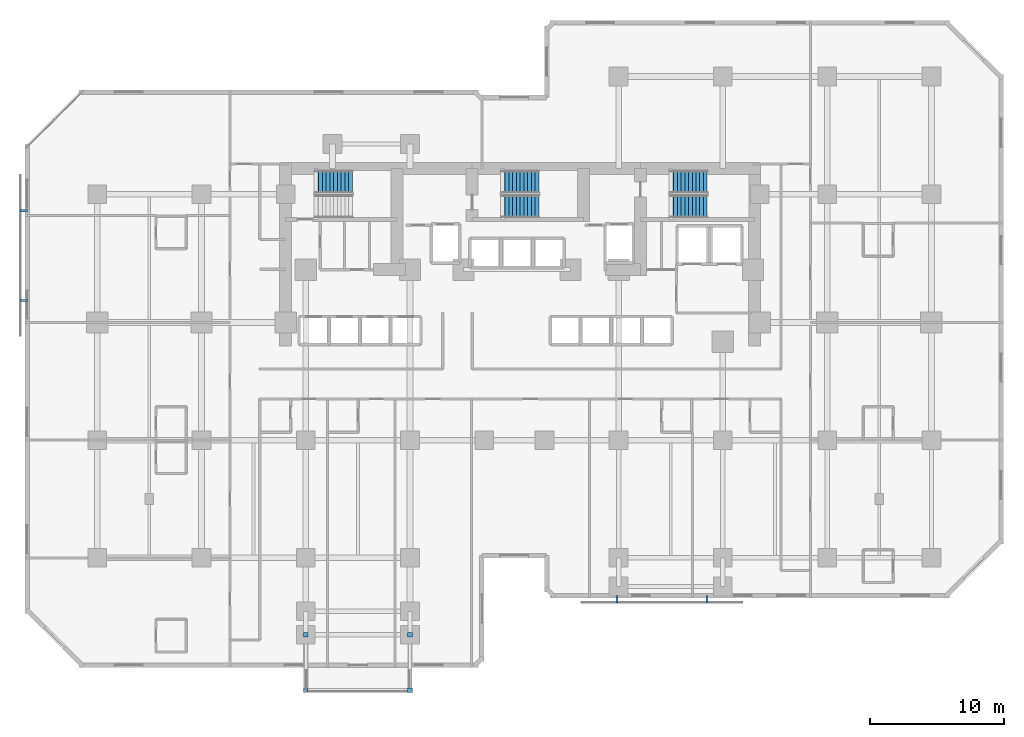
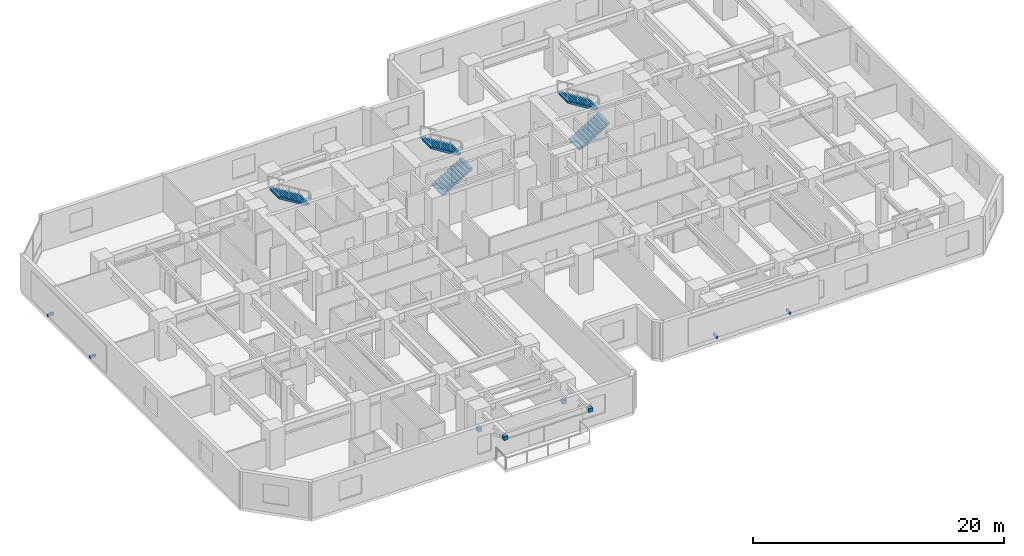
# One storey, part 10 of 12: 8 discrete accessories, 5 stair flights, 3 elements without a shape of their own.
"""IFC4 building model written with IfcOpenShell, lengths in metres."""

from ifc_helpers import new_model, si_unit, direction, frame, origin, origin_2d, place, context, subcontext, project, spatial, polyline, rectangle, outline, extrude, material, type_object, element, aggregate, save


model = new_model("IFC4")

# Units and contexts
model_context = context("Model", 3, precision=1e-05, world=origin(), true_north=direction((0.0, 1.0)))
body_context = subcontext(model_context, "Body", "Model", "MODEL_VIEW")
ifc_project = project(units=[si_unit("LENGTHUNIT", "METRE"), si_unit("AREAUNIT", "SQUARE_METRE"), si_unit("VOLUMEUNIT", "CUBIC_METRE"), si_unit("PLANEANGLEUNIT", "RADIAN"), si_unit("MASSUNIT", "GRAM", prefix="KILO")], contexts=[model_context])

# Site, building, storey
site_placement = place(None, origin())
site = spatial("IfcSite", under=ifc_project, at=site_placement, CompositionType="ELEMENT")
building_placement = place(site_placement, origin())
building = spatial("IfcBuilding", under=site, at=building_placement, Name="Kestravale Grand Hotel", CompositionType="ELEMENT")
storey_placement = place(building_placement, frame((0.0, 0.0, 56.39990234375)))
storey = spatial("IfcBuildingStorey", under=building, at=storey_placement, Name="L13", CompositionType="ELEMENT", Elevation=56.39990234375)

# Stair, stair flight
ifc_material_1 = material(Name="Concrete f'c 45 MPa", Category="concrete")
stair_type = type_object("IfcStairType", Name="ST-CORE-380", PredefinedType="HALF_TURN_STAIR", material=ifc_material_1)
stair_1_placement = place(storey_placement, origin())
stair_1 = element("IfcStair", 1, at=stair_1_placement, inside=storey, type_object=stair_type, Name="L13 ST-1", PredefinedType="HALF_TURN_STAIR")
ifc_material_2 = material(Name="Concrete f'c 45 MPa", Category="concrete")
stair_flight_type = type_object("IfcStairFlightType", Name="STF-CORE-380", PredefinedType="STRAIGHT", material=ifc_material_2)
stair_flight_1_placement = place(storey_placement, frame((26.8798828125, 39.320068359375, 1.900146484375), z_axis=(0.0, 0.0, 1.0), x_axis=(-1.0, 0.0, 0.0)))
stair_flight_1 = element("IfcStairFlight", 2, at=stair_flight_1_placement, type_object=stair_flight_type, Name="ST-1 flight 2", NumberOfRisers=11, NumberOfTreads=10, PredefinedType="STRAIGHT", RiserHeight=0.172727273, TreadLength=0.28, context=body_context, shape_type="SweptSolid", body=[
    extrude(outline(polyline([(0.0, 0.0), (0.0, 0.172607421875), (0.280029296875, 0.172607421875), (0.280029296875, 0.345458984375), (0.56005859375, 0.345458984375), (0.56005859375, 0.51806640625), (0.840087890625, 0.51806640625), (0.840087890625, 0.69091796875), (1.1201171875, 0.69091796875), (1.1201171875, 0.863525390625), (1.39990234375, 0.863525390625), (1.39990234375, 1.036376953125), (1.679931640625, 1.036376953125), (1.679931640625, 1.208984375), (1.9599609375, 1.208984375), (1.9599609375, 1.3818359375), (2.239990234375, 1.3818359375), (2.239990234375, 1.554443359375), (2.52001953125, 1.554443359375), (2.52001953125, 1.727294921875), (2.800048828125, 1.727294921875), (2.800048828125, 1.89990234375), (2.800048828125, 1.551025390625), (0.285400390625, 0.0), (0.0, 0.0)])), frame((0.0, 0.83984375, 0.0), z_axis=(0.0, -1.0, 0.0), x_axis=(1.0, 0.0, 0.0)), (0.0, 0.0, 1.0), 1.679931640625),
])
aggregate(stair_1, [stair_flight_1])

# Stair, stair flights
stair_2_placement = place(storey_placement, origin())
stair_2 = element("IfcStair", 3, at=stair_2_placement, inside=storey, type_object=stair_type, Name="L13 ST-2", PredefinedType="HALF_TURN_STAIR")
stair_flight_2_placement = place(storey_placement, frame((38.030029296875, 37.489990234375, 0.0), z_axis=(0.0, 0.0, 1.0), x_axis=(1.0, 0.0, 0.0)))
stair_flight_2 = element("IfcStairFlight", 4, at=stair_flight_2_placement, type_object=stair_flight_type, Name="ST-2 flight 1", NumberOfRisers=11, NumberOfTreads=10, PredefinedType="STRAIGHT", RiserHeight=0.172727273, TreadLength=0.28, context=body_context, shape_type="SweptSolid", body=[
    extrude(outline(polyline([(0.0, 0.0), (0.0, 0.172607421875), (0.280029296875, 0.172607421875), (0.280029296875, 0.345458984375), (0.56005859375, 0.345458984375), (0.56005859375, 0.51806640625), (0.840087890625, 0.51806640625), (0.840087890625, 0.69091796875), (1.1201171875, 0.69091796875), (1.1201171875, 0.863525390625), (1.39990234375, 0.863525390625), (1.39990234375, 1.036376953125), (1.679931640625, 1.036376953125), (1.679931640625, 1.208984375), (1.9599609375, 1.208984375), (1.9599609375, 1.3818359375), (2.239990234375, 1.3818359375), (2.239990234375, 1.554443359375), (2.52001953125, 1.554443359375), (2.52001953125, 1.727294921875), (2.800048828125, 1.727294921875), (2.800048828125, 1.89990234375), (2.800048828125, 1.551025390625), (0.285400390625, 0.0), (0.0, 0.0)])), frame((0.0, 0.83984375, 0.0), z_axis=(0.0, -1.0, 0.0), x_axis=(1.0, 0.0, 0.0)), (0.0, 0.0, 1.0), 1.679931640625),
])
stair_flight_3_placement = place(storey_placement, frame((40.830078125, 39.320068359375, 1.900146484375), z_axis=(0.0, 0.0, 1.0), x_axis=(-1.0, 0.0, 0.0)))
stair_flight_3 = element("IfcStairFlight", 5, at=stair_flight_3_placement, type_object=stair_flight_type, Name="ST-2 flight 2", NumberOfRisers=11, NumberOfTreads=10, PredefinedType="STRAIGHT", RiserHeight=0.172727273, TreadLength=0.28, context=body_context, shape_type="SweptSolid", body=[
    extrude(outline(polyline([(0.0, 0.0), (0.0, 0.172607421875), (0.280029296875, 0.172607421875), (0.280029296875, 0.345458984375), (0.56005859375, 0.345458984375), (0.56005859375, 0.51806640625), (0.840087890625, 0.51806640625), (0.840087890625, 0.69091796875), (1.1201171875, 0.69091796875), (1.1201171875, 0.863525390625), (1.39990234375, 0.863525390625), (1.39990234375, 1.036376953125), (1.679931640625, 1.036376953125), (1.679931640625, 1.208984375), (1.9599609375, 1.208984375), (1.9599609375, 1.3818359375), (2.239990234375, 1.3818359375), (2.239990234375, 1.554443359375), (2.52001953125, 1.554443359375), (2.52001953125, 1.727294921875), (2.800048828125, 1.727294921875), (2.800048828125, 1.89990234375), (2.800048828125, 1.551025390625), (0.285400390625, 0.0), (0.0, 0.0)])), frame((0.0, 0.83984375, 0.0), z_axis=(0.0, -1.0, 0.0), x_axis=(1.0, 0.0, 0.0)), (0.0, 0.0, 1.0), 1.679931640625),
])
aggregate(stair_2, [stair_flight_2, stair_flight_3])

stair_3_placement = place(storey_placement, origin())
stair_3 = element("IfcStair", 6, at=stair_3_placement, inside=storey, type_object=stair_type, Name="L13 ST-3", PredefinedType="HALF_TURN_STAIR")
stair_flight_4_placement = place(storey_placement, frame((50.6298828125, 37.489990234375, 0.0), z_axis=(0.0, 0.0, 1.0), x_axis=(1.0, 0.0, 0.0)))
stair_flight_4 = element("IfcStairFlight", 7, at=stair_flight_4_placement, type_object=stair_flight_type, Name="ST-3 flight 1", NumberOfRisers=11, NumberOfTreads=10, PredefinedType="STRAIGHT", RiserHeight=0.172727273, TreadLength=0.28, context=body_context, shape_type="SweptSolid", body=[
    extrude(outline(polyline([(0.0, 0.0), (0.0, 0.172607421875), (0.280029296875, 0.172607421875), (0.280029296875, 0.345458984375), (0.56005859375, 0.345458984375), (0.56005859375, 0.51806640625), (0.840087890625, 0.51806640625), (0.840087890625, 0.69091796875), (1.1201171875, 0.69091796875), (1.1201171875, 0.863525390625), (1.39990234375, 0.863525390625), (1.39990234375, 1.036376953125), (1.679931640625, 1.036376953125), (1.679931640625, 1.208984375), (1.9599609375, 1.208984375), (1.9599609375, 1.3818359375), (2.239990234375, 1.3818359375), (2.239990234375, 1.554443359375), (2.52001953125, 1.554443359375), (2.52001953125, 1.727294921875), (2.800048828125, 1.727294921875), (2.800048828125, 1.89990234375), (2.800048828125, 1.551025390625), (0.285400390625, 0.0), (0.0, 0.0)])), frame((0.0, 0.83984375, 0.0), z_axis=(0.0, -1.0, 0.0), x_axis=(1.0, 0.0, 0.0)), (0.0, 0.0, 1.0), 1.679931640625),
])
stair_flight_5_placement = place(storey_placement, frame((53.429931640625, 39.320068359375, 1.900146484375), z_axis=(0.0, 0.0, 1.0), x_axis=(-1.0, 0.0, 0.0)))
stair_flight_5 = element("IfcStairFlight", 8, at=stair_flight_5_placement, type_object=stair_flight_type, Name="ST-3 flight 2", NumberOfRisers=11, NumberOfTreads=10, PredefinedType="STRAIGHT", RiserHeight=0.172727273, TreadLength=0.28, context=body_context, shape_type="SweptSolid", body=[
    extrude(outline(polyline([(0.0, 0.0), (0.0, 0.172607421875), (0.280029296875, 0.172607421875), (0.280029296875, 0.345458984375), (0.56005859375, 0.345458984375), (0.56005859375, 0.51806640625), (0.840087890625, 0.51806640625), (0.840087890625, 0.69091796875), (1.1201171875, 0.69091796875), (1.1201171875, 0.863525390625), (1.39990234375, 0.863525390625), (1.39990234375, 1.036376953125), (1.679931640625, 1.036376953125), (1.679931640625, 1.208984375), (1.9599609375, 1.208984375), (1.9599609375, 1.3818359375), (2.239990234375, 1.3818359375), (2.239990234375, 1.554443359375), (2.52001953125, 1.554443359375), (2.52001953125, 1.727294921875), (2.800048828125, 1.727294921875), (2.800048828125, 1.89990234375), (2.800048828125, 1.551025390625), (0.285400390625, 0.0), (0.0, 0.0)])), frame((0.0, 0.83984375, 0.0), z_axis=(0.0, -1.0, 0.0), x_axis=(1.0, 0.0, 0.0)), (0.0, 0.0, 1.0), 1.679931640625),
])
aggregate(stair_3, [stair_flight_4, stair_flight_5])

# Discrete accessories
ifc_material_3 = material(Name="Steel ASTM A572 Grade 50 hot-dip galvanised bracket", Category="steel")
discrete_accessory_type = type_object("IfcDiscreteAccessoryType", Name="ACC-BRK-STL", PredefinedType="BRACKET", material=ifc_material_3)
for number, where, z_axis, x_axis, name in (
    (9, (23.39990234375, 5.449951171875, 1.19384765625), (0.0, 0.0, 1.0), (1.0, 0.0, 0.0), "L14 terrace strut column bracket 1"),
    (10, (23.39990234375, 1.300048828125, 2.89404296875), (0.0, 0.0, 1.0), (1.0, 0.0, 0.0), "L14 terrace strut beam bracket 1"),
    (11, (31.199951171875, 5.449951171875, 1.19384765625), (0.0, 0.0, 1.0), (1.0, 0.0, 0.0), "L14 terrace strut column bracket 2"),
    (12, (31.199951171875, 1.300048828125, 2.89404296875), (0.0, 0.0, 1.0), (1.0, 0.0, 0.0), "L14 terrace strut beam bracket 2"),
):
    element("IfcDiscreteAccessory", number, at=place(storey_placement, frame(where, z_axis=z_axis, x_axis=x_axis)), inside=storey, type_object=discrete_accessory_type, Name=name, PredefinedType="BRACKET", context=body_context, shape_type="SweptSolid", body=[
        extrude(rectangle(XDim=0.360107421875, YDim=0.360107421875, at=origin_2d()), origin(), (0.0, 0.0, 1.0), 0.360107421875),
    ])
for number, where, z_axis, x_axis, name in (
    (13, (46.68994140625, 8.10498046875, 0.56005859375), (0.0, 0.0, 1.0), (1.0, 0.0, 0.0), "L13 solar screen standoff bracket 1"),
    (14, (53.409912109375, 8.10498046875, 0.56005859375), (0.0, 0.0, 1.0), (1.0, 0.0, 0.0), "L13 solar screen standoff bracket 2"),
    (15, (2.304931640625, 37.159912109375, 0.56005859375), (0.0, 0.0, 1.0), (0.0, -1.0, 0.0), "L13 solar screen standoff bracket 1"),
    (16, (2.304931640625, 30.43994140625, 0.56005859375), (0.0, 0.0, 1.0), (0.0, -1.0, 0.0), "L13 solar screen standoff bracket 2"),
):
    element("IfcDiscreteAccessory", number, at=place(storey_placement, frame(where, z_axis=z_axis, x_axis=x_axis)), inside=storey, type_object=discrete_accessory_type, Name=name, PredefinedType="BRACKET", context=body_context, shape_type="SweptSolid", body=[
        extrude(rectangle(XDim=0.159912109375, YDim=0.56005859375, at=origin_2d()), origin(), (0.0, 0.0, 1.0), 0.239990234375),
    ])

save(model, "model.ifc")
